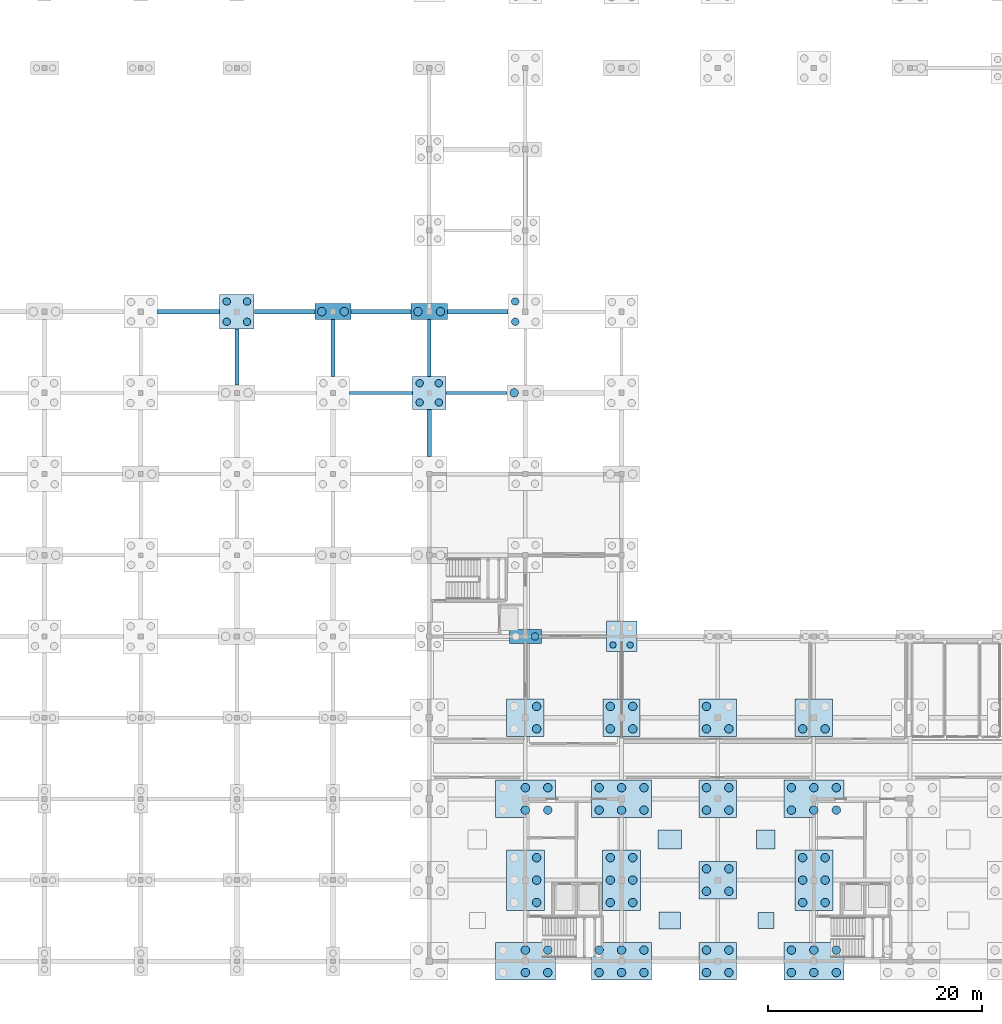
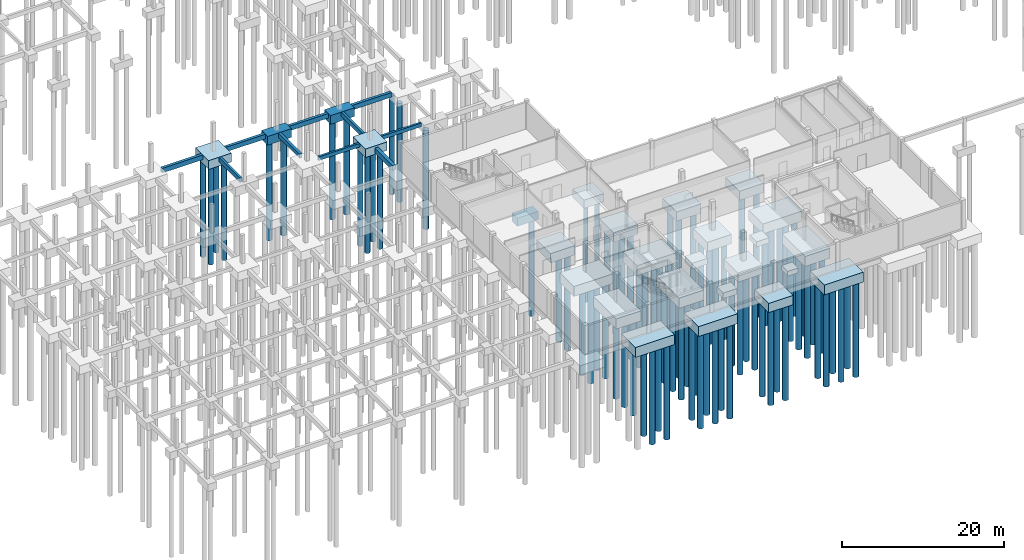
# One storey, part 4 of 28: 88 piles, 36 footings.
"""IFC4 building model written with IfcOpenShell, lengths in metres."""

import ifcopenshell
import ifcopenshell.guid

model = None  # the IFC model being written
_history = None  # IfcOwnerHistory: only IFC2X3 demands one
_inside = {}  # id of a spatial element -> (the spatial element, [elements in it])
_under = {}  # id of a project, library or spatial element -> (it, [spatial elements below it])
_declared = {}  # id of a project -> (the project, [libraries it declares])
_typed = {}  # id of a type object -> (the type object, [elements of that type])
_made_of = {}  # id of a material, layer set ... -> (it, [elements and type objects made of it])


def new_model(schema):
    """Start an empty IFC model of exactly this schema.

    Asked for "IFC4X3", IfcOpenShell would pick the latest addendum, in which some entities
    have other attributes; the version numbers below select the first issue.
    IFC2X3 requires an IfcOwnerHistory on every rooted entity: one is made here for all.
    """
    global model, _history
    if schema == "IFC4X3":
        model = ifcopenshell.file(schema_version=(4, 3, 0, 0))
    else:
        model = ifcopenshell.file(schema=schema)
    _inside.clear()
    _under.clear()
    _declared.clear()
    _typed.clear()
    _made_of.clear()
    _history = None
    if model.schema == "IFC2X3":
        org = make("IfcOrganization", Name="unknown")
        user = make(
            "IfcPersonAndOrganization",
            ThePerson=make("IfcPerson", FamilyName="unknown"),
            TheOrganization=org,
        )
        app = make(
            "IfcApplication",
            ApplicationDeveloper=org,
            Version="unknown",
            ApplicationFullName="unknown",
            ApplicationIdentifier="unknown",
        )
        _history = make(
            "IfcOwnerHistory",
            OwningUser=user,
            OwningApplication=app,
            ChangeAction="ADDED",
            CreationDate=0,
        )
    return model


def make(cls, **values):
    """One entity of the class cls with the attributes given. An attribute that is None is left unset."""
    return model.create_entity(
        cls, **{name: value for name, value in values.items() if value is not None}
    )


def rooted(cls, **values):
    """An entity with a GlobalId (a new one), such as an element, a storey or a relation."""
    return make(cls, GlobalId=ifcopenshell.guid.new(), OwnerHistory=_history, **values)


def si_unit(unit_type, name, prefix=None):
    """IfcSIUnit, for example si_unit("LENGTHUNIT", "METRE", prefix="MILLI")."""
    return make("IfcSIUnit", UnitType=unit_type, Prefix=prefix, Name=name)


def assignment(units):
    """IfcUnitAssignment: the units of a project."""
    return None if units is None else make("IfcUnitAssignment", Units=units)


def point(xyz):
    """IfcCartesianPoint."""
    return None if xyz is None else make("IfcCartesianPoint", Coordinates=xyz)


def direction(xyz):
    """IfcDirection."""
    return None if xyz is None else make("IfcDirection", DirectionRatios=xyz)


def frame(location, z_axis=None, x_axis=None):
    """IfcAxis2Placement3D, a coordinate frame: its origin and axes. An axis left out is left unset."""
    return make(
        "IfcAxis2Placement3D",
        Location=point(location),
        Axis=direction(z_axis),
        RefDirection=direction(x_axis),
    )


def frame_2d(location, x_axis=None):
    """IfcAxis2Placement2D, a coordinate frame in the plane: its origin and x axis."""
    return make(
        "IfcAxis2Placement2D", Location=point(location), RefDirection=direction(x_axis)
    )


def origin():
    """The frame at (0, 0, 0) with its axes left unset."""
    return frame((0.0, 0.0, 0.0))


def origin_2d():
    """The frame at (0, 0) in the plane with its x axis left unset."""
    return frame_2d((0.0, 0.0))


def place(relative_to, where):
    """IfcLocalPlacement: puts the frame where relative to a parent placement (None: the world)."""
    return make(
        "IfcLocalPlacement", PlacementRelTo=relative_to, RelativePlacement=where
    )


def context(
    kind, dimensions, precision=None, world=None, true_north=None, identifier=None
):
    """IfcGeometricRepresentationContext, for example the 3D "Model" context."""
    return make(
        "IfcGeometricRepresentationContext",
        ContextIdentifier=identifier,
        ContextType=kind,
        CoordinateSpaceDimension=dimensions,
        Precision=precision,
        WorldCoordinateSystem=world,
        TrueNorth=true_north,
    )


def subcontext(parent, identifier, kind, view, scale=None):
    """IfcGeometricRepresentationSubContext, for example "Body" below "Model"."""
    return make(
        "IfcGeometricRepresentationSubContext",
        ContextIdentifier=identifier,
        ContextType=kind,
        ParentContext=parent,
        TargetScale=scale,
        TargetView=view,
    )


def project(units=None, contexts=None):
    """IfcProject with its units and contexts."""
    return rooted(
        "IfcProject",
        Name="project",
        RepresentationContexts=contexts,
        UnitsInContext=assignment(units),
    )


def spatial(cls, under=None, at=None, **own):
    """A site, building, storey or space (cls), placed at a placement, below another one or the project."""
    s = rooted(cls, ObjectPlacement=at, **own)
    if under is not None:
        _under.setdefault(under.id(), (under, []))[1].append(s)
    return s


def profile(cls, at=None, kind="AREA", **sizes):
    """A parametric profile (cls). Its sizes go by their IFC names, for example OverallWidth=200.0."""
    return make(cls, ProfileType=kind, Position=at, **sizes)


def rectangle(**sizes):
    """IfcRectangleProfileDef."""
    return profile("IfcRectangleProfileDef", **sizes)


def circle(**sizes):
    """IfcCircleProfileDef."""
    return profile("IfcCircleProfileDef", **sizes)


def extrude(swept, where, along, depth):
    """IfcExtrudedAreaSolid: the profile swept, set in the frame where, extruded along a direction by depth."""
    return make(
        "IfcExtrudedAreaSolid",
        SweptArea=swept,
        Position=where,
        ExtrudedDirection=direction(along),
        Depth=depth,
    )


def shape(context_of_items, identifier, shape_type, items):
    """IfcShapeRepresentation: the items that make up one representation, for example the "Body"."""
    return make(
        "IfcShapeRepresentation",
        ContextOfItems=context_of_items,
        RepresentationIdentifier=identifier,
        RepresentationType=shape_type,
        Items=items,
    )


def material(Name=None, Category=None):
    """IfcMaterial."""
    return make("IfcMaterial", Name=Name, Category=Category)


def layer(
    of_material, thickness, ventilated=None, Name=None, Category=None, Priority=None
):
    """IfcMaterialLayer: one layer of a wall or slab, of a material (None: an air gap)."""
    return make(
        "IfcMaterialLayer",
        Material=of_material,
        LayerThickness=thickness,
        IsVentilated=ventilated,
        Name=Name,
        Category=Category,
        Priority=Priority,
    )


def layer_set(layers, Name=None):
    """IfcMaterialLayerSet."""
    return make("IfcMaterialLayerSet", MaterialLayers=layers, LayerSetName=Name)


def material_profile(
    of_material, cross_section, Name=None, Category=None, Priority=None
):
    """IfcMaterialProfile: a cross section and its material."""
    return make(
        "IfcMaterialProfile",
        Name=Name,
        Material=of_material,
        Profile=cross_section,
        Priority=Priority,
        Category=Category,
    )


def profile_set(profiles, Name=None, composite=None):
    """IfcMaterialProfileSet."""
    return make(
        "IfcMaterialProfileSet",
        Name=Name,
        MaterialProfiles=profiles,
        CompositeProfile=composite,
    )


def made_of(thing, what):
    """Note that an element or type object is made of a material, layer set ...; save() writes the relation."""
    if what is not None:
        _made_of.setdefault(what.id(), (what, []))[1].append(thing)
    return thing


def type_object(cls, material=None, **own):
    """A type object (cls), such as IfcWallType, which elements share."""
    return made_of(rooted(cls, **own), material)


def element(
    cls,
    number,
    at=None,
    inside=None,
    cuts=None,
    type_object=None,
    material=None,
    context=None,
    identifier="Body",
    shape_type=None,
    held_by="IfcProductDefinitionShape",
    body=None,
    shapes=None,
    **own,
):
    """One element of the class cls, such as IfcWall. Its Tag is "e" and its number.

    at: its placement. inside: the storey or other place that contains it. cuts: it is an
    opening in that element (IfcRelVoidsElement). A single representation is given by context,
    identifier, shape_type and body (its items); several are given by shapes. held_by: the class
    of the entity that holds the representations. save() writes the other relations.
    """
    e = rooted(cls, Tag="e%d" % number, ObjectPlacement=at, **own)
    if body is not None:
        shapes = [shape(context, identifier, shape_type, body)]
    if shapes is not None:
        e.Representation = make(held_by, Representations=shapes)
    if inside is not None:
        _inside.setdefault(inside.id(), (inside, []))[1].append(e)
    if cuts is not None:
        rooted(
            "IfcRelVoidsElement", RelatingBuildingElement=cuts, RelatedOpeningElement=e
        )
    if type_object is not None:
        _typed.setdefault(type_object.id(), (type_object, []))[1].append(e)
    return made_of(e, material)


def aggregate(whole, parts):
    """IfcRelAggregates: a whole, such as a stair, and the parts it consists of."""
    return rooted("IfcRelAggregates", RelatingObject=whole, RelatedObjects=parts)


def save(model, path):
    """Write the relations noted so far, then the file.

    IfcRelAggregates (storeys below a building ...), IfcRelContainedInSpatialStructure (elements
    in a storey), IfcRelDefinesByType, IfcRelAssociatesMaterial and IfcRelDeclares: one each for
    every whole, place, type object, material and project.
    """
    for whole, parts in _under.values():
        aggregate(whole, parts)
    for where, things in _inside.values():
        rooted(
            "IfcRelContainedInSpatialStructure",
            RelatedElements=things,
            RelatingStructure=where,
        )
    for kind, things in _typed.values():
        rooted("IfcRelDefinesByType", RelatedObjects=things, RelatingType=kind)
    for what, things in _made_of.values():
        rooted("IfcRelAssociatesMaterial", RelatedObjects=things, RelatingMaterial=what)
    for by, libraries in _declared.values():
        rooted("IfcRelDeclares", RelatingContext=by, RelatedDefinitions=libraries)
    model.write(path)


model = new_model("IFC4")

# Units and contexts
model_context = context("Model", 3, precision=1e-05, world=origin(), true_north=direction((0.0, 1.0)))
body_context = subcontext(model_context, "Body", "Model", "MODEL_VIEW")
ifc_project = project(units=[si_unit("LENGTHUNIT", "METRE"), si_unit("AREAUNIT", "SQUARE_METRE"), si_unit("VOLUMEUNIT", "CUBIC_METRE"), si_unit("PLANEANGLEUNIT", "RADIAN"), si_unit("MASSUNIT", "GRAM", prefix="KILO")], contexts=[model_context])

# Site, building, storey
site_placement = place(None, origin())
site = spatial("IfcSite", under=ifc_project, at=site_placement, CompositionType="ELEMENT")
building_placement = place(site_placement, origin())
building = spatial("IfcBuilding", under=site, at=building_placement, Name="Caisbarro Railhouse Central Library", CompositionType="ELEMENT")
storey_placement = place(building_placement, frame((0.0, 0.0, -4.320068359375)))
storey = spatial("IfcBuildingStorey", under=building, at=storey_placement, Name="B01", CompositionType="ELEMENT", Elevation=-4.320068359375)

# Footings
ifc_material_1 = material(Name="Concrete C35", Category="concrete")
footing_type_1 = type_object("IfcFootingType", Name="FTG-FB01", PredefinedType="FOOTING_BEAM", material=ifc_material_1)
footing_1_placement = place(storey_placement, frame((36.0, 56.5625, -0.64990234375), z_axis=(0.0, 0.0, 1.0), x_axis=(0.0, 1.0, 0.0)))
element("IfcFooting", 1, at=footing_1_placement, inside=storey, type_object=footing_type_1, Name="FB01 ground tie beam 112", PredefinedType="FOOTING_BEAM", context=body_context, shape_type="SweptSolid", body=[
    extrude(rectangle(XDim=5.220947265625, YDim=0.35009765625, at=origin_2d()), origin(), (0.0, 0.0, 1.0), 0.64990234375),
])
for number, where, z_axis, x_axis, name in (
    (2, (45.0, 57.39990234375, -0.64990234375), (0.0, 0.0, 1.0), (0.0, 1.0, 0.0), "FB01 ground tie beam 132"),
    (3, (54.0, 57.39990234375, -0.64990234375), (0.0, 0.0, 1.0), (0.0, 1.0, 0.0), "FB01 ground tie beam 136"),
):
    element("IfcFooting", number, at=place(storey_placement, frame(where, z_axis=z_axis, x_axis=x_axis)), inside=storey, type_object=footing_type_1, Name=name, PredefinedType="FOOTING_BEAM", context=body_context, shape_type="SweptSolid", body=[
        extrude(rectangle(XDim=5.2958984375, YDim=0.35009765625, at=origin_2d()), origin(), (0.0, 0.0, 1.0), 0.64990234375),
    ])
footing_type_2 = type_object("IfcFootingType", Name="FTG-FB02", PredefinedType="FOOTING_BEAM", material=ifc_material_1)
footing_2_placement = place(storey_placement, frame((31.46240234375, 60.800048828125, -0.69970703125), z_axis=(0.0, 0.0, 1.0), x_axis=(1.0, 0.0, 0.0)))
element("IfcFooting", 4, at=footing_2_placement, inside=storey, type_object=footing_type_2, Name="FB02 ground tie beam 89", PredefinedType="FOOTING_BEAM", context=body_context, shape_type="SweptSolid", body=[
    extrude(rectangle(XDim=5.821044921875, YDim=0.39990234375, at=origin_2d()), origin(), (0.0, 0.0, 1.0), 0.699951171875),
])
footing_3_placement = place(storey_placement, frame((40.46240234375, 60.800048828125, -0.69970703125), z_axis=(0.0, 0.0, 1.0), x_axis=(1.0, 0.0, 0.0)))
element("IfcFooting", 5, at=footing_3_placement, inside=storey, type_object=footing_type_2, Name="FB02 ground tie beam 113", PredefinedType="FOOTING_BEAM", context=body_context, shape_type="SweptSolid", body=[
    extrude(rectangle(XDim=5.6708984375, YDim=0.39990234375, at=origin_2d()), origin(), (0.0, 0.0, 1.0), 0.699951171875),
])
footing_4_placement = place(storey_placement, frame((49.5, 60.800048828125, -0.69970703125), z_axis=(0.0, 0.0, 1.0), x_axis=(1.0, 0.0, 0.0)))
element("IfcFooting", 6, at=footing_4_placement, inside=storey, type_object=footing_type_2, Name="FB02 ground tie beam 133", PredefinedType="FOOTING_BEAM", context=body_context, shape_type="SweptSolid", body=[
    extrude(rectangle(XDim=5.595947265625, YDim=0.39990234375, at=origin_2d()), origin(), (0.0, 0.0, 1.0), 0.699951171875),
])
footing_5_placement = place(storey_placement, frame((58.53759765625, 60.800048828125, -0.69970703125), z_axis=(0.0, 0.0, 1.0), x_axis=(1.0, 0.0, 0.0)))
element("IfcFooting", 7, at=footing_5_placement, inside=storey, type_object=footing_type_2, Name="FB02 ground tie beam 137", PredefinedType="FOOTING_BEAM", context=body_context, shape_type="SweptSolid", body=[
    extrude(rectangle(XDim=5.6708984375, YDim=0.39990234375, at=origin_2d()), origin(), (0.0, 0.0, 1.0), 0.699951171875),
])
footing_type_3 = type_object("IfcFootingType", Name="FTG-FB03", PredefinedType="FOOTING_BEAM", material=ifc_material_1)
footing_6_placement = place(storey_placement, frame((54.0, 49.4375, -1.050048828125), z_axis=(0.0, 0.0, 1.0), x_axis=(0.0, 1.0, 0.0)))
element("IfcFooting", 8, at=footing_6_placement, inside=storey, type_object=footing_type_3, Name="FB03 ground tie beam 134", PredefinedType="FOOTING_BEAM", context=body_context, shape_type="SweptSolid", body=[
    extrude(rectangle(XDim=4.4208984375, YDim=0.449951171875, at=origin_2d()), origin(), (0.0, 0.0, 1.0), 0.75),
])
footing_type_4 = type_object("IfcFootingType", Name="FTG-FB04", PredefinedType="FOOTING_BEAM", material=ifc_material_1)
footing_7_placement = place(storey_placement, frame((49.5, 53.199951171875, -0.5498046875), z_axis=(0.0, 0.0, 1.0), x_axis=(1.0, 0.0, 0.0)))
element("IfcFooting", 9, at=footing_7_placement, inside=storey, type_object=footing_type_4, Name="FB04 ground tie beam 131", PredefinedType="FOOTING_BEAM", context=body_context, shape_type="SweptSolid", body=[
    extrude(rectangle(XDim=5.89599609375, YDim=0.300048828125, at=origin_2d()), origin(), (0.0, 0.0, 1.0), 0.550048828125),
])
footing_8_placement = place(storey_placement, frame((58.425048828125, 53.199951171875, -0.5498046875), z_axis=(0.0, 0.0, 1.0), x_axis=(1.0, 0.0, 0.0)))
element("IfcFooting", 10, at=footing_8_placement, inside=storey, type_object=footing_type_4, Name="FB04 ground tie beam 135", PredefinedType="FOOTING_BEAM", context=body_context, shape_type="SweptSolid", body=[
    extrude(rectangle(XDim=5.74609375, YDim=0.300048828125, at=origin_2d()), origin(), (0.0, 0.0, 1.0), 0.550048828125),
])
ifc_material_2 = material(Name="Concrete C40", Category="concrete")
ifc_layer_1 = layer(ifc_material_2, 1.219970703125, Name="Concrete C40")
ifc_layer_set_1 = layer_set([ifc_layer_1], Name="Concrete C40")
footing_type_5 = type_object("IfcFootingType", Name="FTG-PC05", PredefinedType="PILE_CAP", material=ifc_layer_set_1)
footing_9_placement = place(storey_placement, frame((63.0, 30.39990234375, -1.56982421875), z_axis=(0.0, 0.0, 1.0), x_axis=(1.0, 0.0, 0.0)))
element("IfcFooting", 11, at=footing_9_placement, inside=storey, type_object=footing_type_5, Name="PC05 pile cap (100)", PredefinedType="PILE_CAP", context=body_context, shape_type="SweptSolid", body=[
    extrude(rectangle(XDim=3.0, YDim=1.35009765625, at=origin_2d()), origin(), (0.0, 0.0, 1.0), 1.219970703125),
])
ifc_layer_2 = layer(ifc_material_2, 1.300048828125, Name="Concrete C40")
ifc_layer_set_2 = layer_set([ifc_layer_2], Name="Concrete C40")
footing_type_6 = type_object("IfcFootingType", Name="FTG-PC06", PredefinedType="PILE_CAP", material=ifc_layer_set_2)
footing_10_placement = place(storey_placement, frame((54.0, 53.199951171875, -1.2998046875), z_axis=(0.0, 0.0, 1.0), x_axis=(1.0, 0.0, 0.0)))
element("IfcFooting", 12, at=footing_10_placement, inside=storey, type_object=footing_type_6, Name="PC06 pile cap (87)", PredefinedType="PILE_CAP", context=body_context, shape_type="SweptSolid", body=[
    extrude(rectangle(XDim=3.10009765625, YDim=3.10009765625, at=origin_2d()), origin(), (0.0, 0.0, 1.0), 1.300048828125),
])
ifc_layer_3 = layer(ifc_material_2, 1.320068359375, Name="Concrete C40")
ifc_layer_set_3 = layer_set([ifc_layer_3], Name="Concrete C40")
footing_type_7 = type_object("IfcFootingType", Name="FTG-PC07", PredefinedType="PILE_CAP", material=ifc_layer_set_3)
for number, where, z_axis, x_axis, name in (
    (13, (45.0, 60.800048828125, -1.31982421875), (0.0, 0.0, 1.0), (1.0, 0.0, 0.0), "PC07 pile cap (79)"),
    (14, (54.0, 60.800048828125, -1.31982421875), (0.0, 0.0, 1.0), (1.0, 0.0, 0.0), "PC07 pile cap (88)"),
):
    element("IfcFooting", number, at=place(storey_placement, frame(where, z_axis=z_axis, x_axis=x_axis)), inside=storey, type_object=footing_type_7, Name=name, PredefinedType="PILE_CAP", context=body_context, shape_type="SweptSolid", body=[
        extrude(rectangle(XDim=3.39990234375, YDim=1.5, at=origin_2d()), origin(), (0.0, 0.0, 1.0), 1.320068359375),
    ])
ifc_layer_4 = layer(ifc_material_2, 1.39990234375, Name="Concrete C40")
ifc_layer_set_4 = layer_set([ifc_layer_4], Name="Concrete C40")
footing_type_8 = type_object("IfcFootingType", Name="FTG-PC08", PredefinedType="PILE_CAP", material=ifc_layer_set_4)
for number, where, z_axis, x_axis, name in (
    (15, (63.0, 22.800048828125, -1.75), (0.0, 0.0, 1.0), (1.0, 0.0, 0.0), "PC08 pile cap (99)"),
    (16, (72.0, 22.800048828125, -1.75), (0.0, 0.0, 1.0), (1.0, 0.0, 0.0), "PC08 pile cap (115)"),
    (17, (81.0, 0.0, -1.75), (0.0, 0.0, 1.0), (1.0, 0.0, 0.0), "PC08 pile cap (126)"),
    (18, (81.0, 7.60009765625, -1.75), (0.0, 0.0, 1.0), (1.0, 0.0, 0.0), "PC08 pile cap (127)"),
    (19, (81.0, 15.199951171875, -1.75), (0.0, 0.0, 1.0), (1.0, 0.0, 0.0), "PC08 pile cap (128)"),
    (20, (81.0, 22.800048828125, -1.75), (0.0, 0.0, 1.0), (1.0, 0.0, 0.0), "PC08 pile cap (129)"),
    (21, (90.0, 22.800048828125, -1.75), (0.0, 0.0, 1.0), (1.0, 0.0, 0.0), "PC08 pile cap (139)"),
):
    element("IfcFooting", number, at=place(storey_placement, frame(where, z_axis=z_axis, x_axis=x_axis)), inside=storey, type_object=footing_type_8, Name=name, PredefinedType="PILE_CAP", context=body_context, shape_type="SweptSolid", body=[
        extrude(rectangle(XDim=3.5, YDim=3.5, at=origin_2d()), origin(), (0.0, 0.0, 1.0), 1.39990234375),
    ])
ifc_layer_5 = layer(ifc_material_2, 1.5, Name="Concrete C40")
ifc_layer_set_5 = layer_set([ifc_layer_5], Name="Concrete C40")
footing_type_9 = type_object("IfcFootingType", Name="FTG-PC09", PredefinedType="PILE_CAP", material=ifc_layer_set_5)
for number, where, z_axis, x_axis, name in (
    (22, (63.0, 0.0, -1.849853515625), (0.0, 0.0, 1.0), (1.0, 0.0, 0.0), "PC09 pile cap (96)"),
    (23, (63.0, 15.199951171875, -1.849853515625), (0.0, 0.0, 1.0), (1.0, 0.0, 0.0), "PC09 pile cap (98)"),
    (24, (72.0, 0.0, -1.849853515625), (0.0, 0.0, 1.0), (1.0, 0.0, 0.0), "PC09 pile cap (112)"),
    (25, (72.0, 15.199951171875, -1.849853515625), (0.0, 0.0, 1.0), (1.0, 0.0, 0.0), "PC09 pile cap (114)"),
    (26, (90.0, 0.0, -1.849853515625), (0.0, 0.0, 1.0), (1.0, 0.0, 0.0), "PC09 pile cap (136)"),
    (27, (90.0, 15.199951171875, -1.849853515625), (0.0, 0.0, 1.0), (1.0, 0.0, 0.0), "PC09 pile cap (138)"),
):
    element("IfcFooting", number, at=place(storey_placement, frame(where, z_axis=z_axis, x_axis=x_axis)), inside=storey, type_object=footing_type_9, Name=name, PredefinedType="PILE_CAP", context=body_context, shape_type="SweptSolid", body=[
        extrude(rectangle(XDim=5.60009765625, YDim=3.5, at=origin_2d()), origin(), (0.0, 0.0, 1.0), 1.5),
    ])
ifc_layer_6 = layer(ifc_material_2, 1.52001953125, Name="Concrete C40")
ifc_layer_set_6 = layer_set([ifc_layer_6], Name="Concrete C40")
footing_type_10 = type_object("IfcFootingType", Name="FTG-PC10", PredefinedType="PILE_CAP", material=ifc_layer_set_6)
for number, where, z_axis, x_axis, name in (
    (28, (63.0, 7.60009765625, -1.869873046875), (0.0, 0.0, 1.0), (1.0, 0.0, 0.0), "PC10 pile cap (97)"),
    (29, (72.0, 7.60009765625, -1.869873046875), (0.0, 0.0, 1.0), (1.0, 0.0, 0.0), "PC10 pile cap (113)"),
    (30, (90.0, 7.60009765625, -1.869873046875), (0.0, 0.0, 1.0), (1.0, 0.0, 0.0), "PC10 pile cap (137)"),
):
    element("IfcFooting", number, at=place(storey_placement, frame(where, z_axis=z_axis, x_axis=x_axis)), inside=storey, type_object=footing_type_10, Name=name, PredefinedType="PILE_CAP", context=body_context, shape_type="SweptSolid", body=[
        extrude(rectangle(XDim=3.550048828125, YDim=5.64990234375, at=origin_2d()), origin(), (0.0, 0.0, 1.0), 1.52001953125),
    ])
ifc_layer_7 = layer(ifc_material_2, 1.25, Name="Concrete C40")
ifc_layer_set_7 = layer_set([ifc_layer_7], Name="Concrete C40")
footing_type_11 = type_object("IfcFootingType", Name="FTG-PC13", PredefinedType="PILE_CAP", material=ifc_layer_set_7)
footing_11_placement = place(storey_placement, frame((72.0, 30.39990234375, -1.599853515625), z_axis=(0.0, 0.0, 1.0), x_axis=(1.0, 0.0, 0.0)))
element("IfcFooting", 31, at=footing_11_placement, inside=storey, type_object=footing_type_11, Name="PC13 pile cap (116)", PredefinedType="PILE_CAP", context=body_context, shape_type="SweptSolid", body=[
    extrude(rectangle(XDim=2.85009765625, YDim=2.85009765625, at=origin_2d()), origin(), (0.0, 0.0, 1.0), 1.25),
])
ifc_layer_8 = layer(ifc_material_2, 1.340087890625, Name="Concrete C40")
ifc_layer_set_8 = layer_set([ifc_layer_8], Name="Concrete C40")
footing_type_12 = type_object("IfcFootingType", Name="FTG-PC14", PredefinedType="PILE_CAP", material=ifc_layer_set_8)
footing_12_placement = place(storey_placement, frame((36.0, 60.800048828125, -1.33984375), z_axis=(0.0, 0.0, 1.0), x_axis=(1.0, 0.0, 0.0)))
element("IfcFooting", 32, at=footing_12_placement, inside=storey, type_object=footing_type_12, Name="PC14 pile cap (65)", PredefinedType="PILE_CAP", context=body_context, shape_type="SweptSolid", body=[
    extrude(rectangle(XDim=3.25, YDim=3.25, at=origin_2d()), origin(), (0.0, 0.0, 1.0), 1.340087890625),
])
ifc_layer_9 = layer(ifc_material_2, 0.699951171875, Name="Concrete C40")
ifc_layer_set_9 = layer_set([ifc_layer_9], Name="Concrete C40")
footing_type_13 = type_object("IfcFootingType", Name="FTG-PF01", PredefinedType="PAD_FOOTING", material=ifc_layer_set_9)
footing_13_placement = place(storey_placement, frame((85.5, 3.800048828125, -1.0498046875), z_axis=(0.0, 0.0, 1.0), x_axis=(1.0, 0.0, 0.0)))
element("IfcFooting", 33, at=footing_13_placement, inside=storey, type_object=footing_type_13, Name="PF01 equipment pad footing 5", PredefinedType="PAD_FOOTING", context=body_context, shape_type="SweptSolid", body=[
    extrude(rectangle(XDim=1.5, YDim=1.5, at=origin_2d()), origin(), (0.0, 0.0, 1.0), 0.699951171875),
])
ifc_layer_10 = layer(ifc_material_2, 0.800048828125, Name="Concrete C40")
ifc_layer_set_10 = layer_set([ifc_layer_10], Name="Concrete C40")
footing_type_14 = type_object("IfcFootingType", Name="FTG-PF02", PredefinedType="PAD_FOOTING", material=ifc_layer_set_10)
footing_14_placement = place(storey_placement, frame((85.5, 11.39990234375, -1.14990234375), z_axis=(0.0, 0.0, 1.0), x_axis=(1.0, 0.0, 0.0)))
element("IfcFooting", 34, at=footing_14_placement, inside=storey, type_object=footing_type_14, Name="PF02 equipment pad footing 6", PredefinedType="PAD_FOOTING", context=body_context, shape_type="SweptSolid", body=[
    extrude(rectangle(XDim=1.75, YDim=1.75, at=origin_2d()), origin(), (0.0, 0.0, 1.0), 0.800048828125),
])
ifc_layer_11 = layer(ifc_material_2, 0.85009765625, Name="Concrete C40")
ifc_layer_set_11 = layer_set([ifc_layer_11], Name="Concrete C40")
footing_type_15 = type_object("IfcFootingType", Name="FTG-PF03", PredefinedType="PAD_FOOTING", material=ifc_layer_set_11)
footing_15_placement = place(storey_placement, frame((76.5, 3.800048828125, -1.199951171875), z_axis=(0.0, 0.0, 1.0), x_axis=(1.0, 0.0, 0.0)))
element("IfcFooting", 35, at=footing_15_placement, inside=storey, type_object=footing_type_15, Name="PF03 equipment pad footing 3", PredefinedType="PAD_FOOTING", context=body_context, shape_type="SweptSolid", body=[
    extrude(rectangle(XDim=2.0, YDim=1.60009765625, at=origin_2d()), origin(), (0.0, 0.0, 1.0), 0.85009765625),
])
ifc_layer_12 = layer(ifc_material_2, 0.89990234375, Name="Concrete C40")
ifc_layer_set_12 = layer_set([ifc_layer_12], Name="Concrete C40")
footing_type_16 = type_object("IfcFootingType", Name="FTG-PF04", PredefinedType="PAD_FOOTING", material=ifc_layer_set_12)
footing_16_placement = place(storey_placement, frame((76.5, 11.39990234375, -1.25), z_axis=(0.0, 0.0, 1.0), x_axis=(1.0, 0.0, 0.0)))
element("IfcFooting", 36, at=footing_16_placement, inside=storey, type_object=footing_type_16, Name="PF04 equipment pad footing 4", PredefinedType="PAD_FOOTING", context=body_context, shape_type="SweptSolid", body=[
    extrude(rectangle(XDim=2.199951171875, YDim=1.800048828125, at=origin_2d()), origin(), (0.0, 0.0, 1.0), 0.89990234375),
])

# Piles
ifc_material_profile_1 = material_profile(ifc_material_1, circle(Radius=0.300048828125, at=origin_2d()), Name="PILE-CFA-600")
ifc_profile_set_1 = profile_set([ifc_material_profile_1], Name="Concrete C35")
pile_type_1 = type_object("IfcPileType", Name="PILE-CFA600", PredefinedType="BORED", material=ifc_profile_set_1)
for number, where, z_axis, x_axis, name in (
    (37, (71.199951171875, 29.60009765625, -1.5), (0.0, 0.0, -1.0), (1.0, 0.0, 0.0), "PL60 CFA bored pile 116.1"),
    (38, (72.800048828125, 29.60009765625, -1.5), (0.0, 0.0, -1.0), (1.0, 0.0, 0.0), "PL60 CFA bored pile 116.2"),
):
    element("IfcPile", number, at=place(storey_placement, frame(where, z_axis=z_axis, x_axis=x_axis)), inside=storey, type_object=pile_type_1, Name=name, PredefinedType="BORED", context=body_context, shape_type="SweptSolid", body=[
        extrude(circle(Radius=0.300048828125, at=origin_2d()), origin(), (0.0, 0.0, 1.0), 14.679931640625),
    ])
ifc_material_profile_2 = material_profile(ifc_material_1, circle(Radius=0.35009765625, at=origin_2d()), Name="PILE-CFA-700")
ifc_profile_set_2 = profile_set([ifc_material_profile_2], Name="Concrete C35")
pile_type_2 = type_object("IfcPileType", Name="PILE-CFA700", PredefinedType="BORED", material=ifc_profile_set_2)
for number, where, z_axis, x_axis, name in (
    (39, (35.050048828125, 59.85009765625, -1.239990234375), (0.0, 0.0, -1.0), (1.0, 0.0, 0.0), "PL70 CFA bored pile 65.1"),
    (40, (36.949951171875, 59.85009765625, -1.239990234375), (0.0, 0.0, -1.0), (1.0, 0.0, 0.0), "PL70 CFA bored pile 65.2"),
    (41, (35.050048828125, 61.75, -1.239990234375), (0.0, 0.0, -1.0), (1.0, 0.0, 0.0), "PL70 CFA bored pile 65.3"),
    (42, (36.949951171875, 61.75, -1.239990234375), (0.0, 0.0, -1.0), (1.0, 0.0, 0.0), "PL70 CFA bored pile 65.4"),
):
    element("IfcPile", number, at=place(storey_placement, frame(where, z_axis=z_axis, x_axis=x_axis)), inside=storey, type_object=pile_type_2, Name=name, PredefinedType="BORED", context=body_context, shape_type="SweptSolid", body=[
        extrude(circle(Radius=0.35009765625, at=origin_2d()), origin(), (0.0, 0.0, 1.0), 14.93994140625),
    ])
for number, where, z_axis, x_axis, name in (
    (43, (53.10009765625, 52.300048828125, -1.199951171875), (0.0, 0.0, -1.0), (1.0, 0.0, 0.0), "PL70 CFA bored pile 87.1"),
    (44, (54.89990234375, 52.300048828125, -1.199951171875), (0.0, 0.0, -1.0), (1.0, 0.0, 0.0), "PL70 CFA bored pile 87.2"),
    (45, (53.10009765625, 54.10009765625, -1.199951171875), (0.0, 0.0, -1.0), (1.0, 0.0, 0.0), "PL70 CFA bored pile 87.3"),
    (46, (54.89990234375, 54.10009765625, -1.199951171875), (0.0, 0.0, -1.0), (1.0, 0.0, 0.0), "PL70 CFA bored pile 87.4"),
):
    element("IfcPile", number, at=place(storey_placement, frame(where, z_axis=z_axis, x_axis=x_axis)), inside=storey, type_object=pile_type_2, Name=name, PredefinedType="BORED", context=body_context, shape_type="SweptSolid", body=[
        extrude(circle(Radius=0.35009765625, at=origin_2d()), origin(), (0.0, 0.0, 1.0), 14.97998046875),
    ])
pile_1_placement = place(storey_placement, frame((63.89990234375, 30.39990234375, -1.469970703125), z_axis=(0.0, 0.0, -1.0), x_axis=(1.0, 0.0, 0.0)))
element("IfcPile", 47, at=pile_1_placement, inside=storey, type_object=pile_type_2, Name="PL70 CFA bored pile 100.2", PredefinedType="BORED", context=body_context, shape_type="SweptSolid", body=[
    extrude(circle(Radius=0.35009765625, at=origin_2d()), origin(), (0.0, 0.0, 1.0), 14.7099609375),
])
for number, where, z_axis, x_axis, name in (
    (48, (62.050048828125, 59.85009765625, -1.239990234375), (0.0, 0.0, -1.0), (1.0, 0.0, 0.0), "PL70 CFA bored pile 104.1"),
    (49, (62.050048828125, 61.75, -1.239990234375), (0.0, 0.0, -1.0), (1.0, 0.0, 0.0), "PL70 CFA bored pile 104.3"),
):
    element("IfcPile", number, at=place(storey_placement, frame(where, z_axis=z_axis, x_axis=x_axis)), inside=storey, type_object=pile_type_2, Name=name, PredefinedType="BORED", context=body_context, shape_type="SweptSolid", body=[
        extrude(circle(Radius=0.35009765625, at=origin_2d()), origin(), (0.0, 0.0, 1.0), 14.93994140625),
    ])
ifc_material_profile_3 = material_profile(ifc_material_1, circle(Radius=0.39990234375, at=origin_2d()), Name="PILE-CFA-800")
ifc_profile_set_3 = profile_set([ifc_material_profile_3], Name="Concrete C35")
pile_type_3 = type_object("IfcPileType", Name="PILE-CFA800", PredefinedType="BORED", material=ifc_profile_set_3)
for number, where, z_axis, x_axis, name in (
    (50, (43.949951171875, 60.800048828125, -1.219970703125), (0.0, 0.0, -1.0), (1.0, 0.0, 0.0), "PL80 CFA bored pile 79.1"),
    (51, (46.050048828125, 60.800048828125, -1.219970703125), (0.0, 0.0, -1.0), (1.0, 0.0, 0.0), "PL80 CFA bored pile 79.2"),
    (52, (52.949951171875, 60.800048828125, -1.219970703125), (0.0, 0.0, -1.0), (1.0, 0.0, 0.0), "PL80 CFA bored pile 88.1"),
    (53, (55.050048828125, 60.800048828125, -1.219970703125), (0.0, 0.0, -1.0), (1.0, 0.0, 0.0), "PL80 CFA bored pile 88.2"),
):
    element("IfcPile", number, at=place(storey_placement, frame(where, z_axis=z_axis, x_axis=x_axis)), inside=storey, type_object=pile_type_3, Name=name, PredefinedType="BORED", context=body_context, shape_type="SweptSolid", body=[
        extrude(circle(Radius=0.39990234375, at=origin_2d()), origin(), (0.0, 0.0, 1.0), 14.9599609375),
    ])
for number, where, z_axis, x_axis, name in (
    (54, (63.0, -1.050048828125, -1.75), (0.0, 0.0, -1.0), (1.0, 0.0, 0.0), "PL80 CFA bored pile 96.2"),
    (55, (65.10009765625, -1.050048828125, -1.75), (0.0, 0.0, -1.0), (1.0, 0.0, 0.0), "PL80 CFA bored pile 96.3"),
    (56, (63.0, 1.050048828125, -1.75), (0.0, 0.0, -1.0), (1.0, 0.0, 0.0), "PL80 CFA bored pile 96.5"),
    (57, (65.10009765625, 1.050048828125, -1.75), (0.0, 0.0, -1.0), (1.0, 0.0, 0.0), "PL80 CFA bored pile 96.6"),
):
    element("IfcPile", number, at=place(storey_placement, frame(where, z_axis=z_axis, x_axis=x_axis)), inside=storey, type_object=pile_type_3, Name=name, PredefinedType="BORED", context=body_context, shape_type="SweptSolid", body=[
        extrude(circle(Radius=0.39990234375, at=origin_2d()), origin(), (0.0, 0.0, 1.0), 14.429931640625),
    ])
for number, where, z_axis, x_axis, name in (
    (58, (64.050048828125, 5.5, -1.77001953125), (0.0, 0.0, -1.0), (1.0, 0.0, 0.0), "PL80 CFA bored pile 97.2"),
    (59, (64.050048828125, 7.60009765625, -1.77001953125), (0.0, 0.0, -1.0), (1.0, 0.0, 0.0), "PL80 CFA bored pile 97.4"),
    (60, (64.050048828125, 9.699951171875, -1.77001953125), (0.0, 0.0, -1.0), (1.0, 0.0, 0.0), "PL80 CFA bored pile 97.6"),
):
    element("IfcPile", number, at=place(storey_placement, frame(where, z_axis=z_axis, x_axis=x_axis)), inside=storey, type_object=pile_type_3, Name=name, PredefinedType="BORED", context=body_context, shape_type="SweptSolid", body=[
        extrude(circle(Radius=0.39990234375, at=origin_2d()), origin(), (0.0, 0.0, 1.0), 14.409912109375),
    ])
for number, where, z_axis, x_axis, name in (
    (61, (63.0, 14.14990234375, -1.75), (0.0, 0.0, -1.0), (1.0, 0.0, 0.0), "PL80 CFA bored pile 98.2"),
    (62, (65.10009765625, 14.14990234375, -1.75), (0.0, 0.0, -1.0), (1.0, 0.0, 0.0), "PL80 CFA bored pile 98.3"),
    (63, (63.0, 16.25, -1.75), (0.0, 0.0, -1.0), (1.0, 0.0, 0.0), "PL80 CFA bored pile 98.5"),
    (64, (65.10009765625, 16.25, -1.75), (0.0, 0.0, -1.0), (1.0, 0.0, 0.0), "PL80 CFA bored pile 98.6"),
):
    element("IfcPile", number, at=place(storey_placement, frame(where, z_axis=z_axis, x_axis=x_axis)), inside=storey, type_object=pile_type_3, Name=name, PredefinedType="BORED", context=body_context, shape_type="SweptSolid", body=[
        extrude(circle(Radius=0.39990234375, at=origin_2d()), origin(), (0.0, 0.0, 1.0), 14.429931640625),
    ])
for number, where, z_axis, x_axis, name in (
    (65, (64.050048828125, 21.75, -1.64990234375), (0.0, 0.0, -1.0), (1.0, 0.0, 0.0), "PL80 CFA bored pile 99.2"),
    (66, (64.050048828125, 23.85009765625, -1.64990234375), (0.0, 0.0, -1.0), (1.0, 0.0, 0.0), "PL80 CFA bored pile 99.4"),
):
    element("IfcPile", number, at=place(storey_placement, frame(where, z_axis=z_axis, x_axis=x_axis)), inside=storey, type_object=pile_type_3, Name=name, PredefinedType="BORED", context=body_context, shape_type="SweptSolid", body=[
        extrude(circle(Radius=0.39990234375, at=origin_2d()), origin(), (0.0, 0.0, 1.0), 14.530029296875),
    ])
pile_2_placement = place(storey_placement, frame((61.949951171875, 53.199951171875, -1.219970703125), z_axis=(0.0, 0.0, -1.0), x_axis=(1.0, 0.0, 0.0)))
element("IfcPile", 67, at=pile_2_placement, inside=storey, type_object=pile_type_3, Name="PL80 CFA bored pile 103.1", PredefinedType="BORED", context=body_context, shape_type="SweptSolid", body=[
    extrude(circle(Radius=0.39990234375, at=origin_2d()), origin(), (0.0, 0.0, 1.0), 14.9599609375),
])
for number, where, z_axis, x_axis, name in (
    (68, (69.89990234375, -1.050048828125, -1.75), (0.0, 0.0, -1.0), (1.0, 0.0, 0.0), "PL80 CFA bored pile 112.1"),
    (69, (72.0, -1.050048828125, -1.75), (0.0, 0.0, -1.0), (1.0, 0.0, 0.0), "PL80 CFA bored pile 112.2"),
    (70, (74.10009765625, -1.050048828125, -1.75), (0.0, 0.0, -1.0), (1.0, 0.0, 0.0), "PL80 CFA bored pile 112.3"),
    (71, (69.89990234375, 1.050048828125, -1.75), (0.0, 0.0, -1.0), (1.0, 0.0, 0.0), "PL80 CFA bored pile 112.4"),
    (72, (72.0, 1.050048828125, -1.75), (0.0, 0.0, -1.0), (1.0, 0.0, 0.0), "PL80 CFA bored pile 112.5"),
    (73, (74.10009765625, 1.050048828125, -1.75), (0.0, 0.0, -1.0), (1.0, 0.0, 0.0), "PL80 CFA bored pile 112.6"),
):
    element("IfcPile", number, at=place(storey_placement, frame(where, z_axis=z_axis, x_axis=x_axis)), inside=storey, type_object=pile_type_3, Name=name, PredefinedType="BORED", context=body_context, shape_type="SweptSolid", body=[
        extrude(circle(Radius=0.39990234375, at=origin_2d()), origin(), (0.0, 0.0, 1.0), 14.429931640625),
    ])
for number, where, z_axis, x_axis, name in (
    (74, (70.949951171875, 5.5, -1.77001953125), (0.0, 0.0, -1.0), (1.0, 0.0, 0.0), "PL80 CFA bored pile 113.1"),
    (75, (73.050048828125, 5.5, -1.77001953125), (0.0, 0.0, -1.0), (1.0, 0.0, 0.0), "PL80 CFA bored pile 113.2"),
    (76, (70.949951171875, 7.60009765625, -1.77001953125), (0.0, 0.0, -1.0), (1.0, 0.0, 0.0), "PL80 CFA bored pile 113.3"),
    (77, (73.050048828125, 7.60009765625, -1.77001953125), (0.0, 0.0, -1.0), (1.0, 0.0, 0.0), "PL80 CFA bored pile 113.4"),
    (78, (70.949951171875, 9.699951171875, -1.77001953125), (0.0, 0.0, -1.0), (1.0, 0.0, 0.0), "PL80 CFA bored pile 113.5"),
    (79, (73.050048828125, 9.699951171875, -1.77001953125), (0.0, 0.0, -1.0), (1.0, 0.0, 0.0), "PL80 CFA bored pile 113.6"),
):
    element("IfcPile", number, at=place(storey_placement, frame(where, z_axis=z_axis, x_axis=x_axis)), inside=storey, type_object=pile_type_3, Name=name, PredefinedType="BORED", context=body_context, shape_type="SweptSolid", body=[
        extrude(circle(Radius=0.39990234375, at=origin_2d()), origin(), (0.0, 0.0, 1.0), 14.409912109375),
    ])
for number, where, z_axis, x_axis, name in (
    (80, (69.89990234375, 14.14990234375, -1.75), (0.0, 0.0, -1.0), (1.0, 0.0, 0.0), "PL80 CFA bored pile 114.1"),
    (81, (72.0, 14.14990234375, -1.75), (0.0, 0.0, -1.0), (1.0, 0.0, 0.0), "PL80 CFA bored pile 114.2"),
    (82, (74.10009765625, 14.14990234375, -1.75), (0.0, 0.0, -1.0), (1.0, 0.0, 0.0), "PL80 CFA bored pile 114.3"),
    (83, (69.89990234375, 16.25, -1.75), (0.0, 0.0, -1.0), (1.0, 0.0, 0.0), "PL80 CFA bored pile 114.4"),
    (84, (72.0, 16.25, -1.75), (0.0, 0.0, -1.0), (1.0, 0.0, 0.0), "PL80 CFA bored pile 114.5"),
    (85, (74.10009765625, 16.25, -1.75), (0.0, 0.0, -1.0), (1.0, 0.0, 0.0), "PL80 CFA bored pile 114.6"),
):
    element("IfcPile", number, at=place(storey_placement, frame(where, z_axis=z_axis, x_axis=x_axis)), inside=storey, type_object=pile_type_3, Name=name, PredefinedType="BORED", context=body_context, shape_type="SweptSolid", body=[
        extrude(circle(Radius=0.39990234375, at=origin_2d()), origin(), (0.0, 0.0, 1.0), 14.429931640625),
    ])
for number, where, z_axis, x_axis, name in (
    (86, (70.949951171875, 21.75, -1.64990234375), (0.0, 0.0, -1.0), (1.0, 0.0, 0.0), "PL80 CFA bored pile 115.1"),
    (87, (73.050048828125, 21.75, -1.64990234375), (0.0, 0.0, -1.0), (1.0, 0.0, 0.0), "PL80 CFA bored pile 115.2"),
    (88, (70.949951171875, 23.85009765625, -1.64990234375), (0.0, 0.0, -1.0), (1.0, 0.0, 0.0), "PL80 CFA bored pile 115.3"),
    (89, (73.050048828125, 23.85009765625, -1.64990234375), (0.0, 0.0, -1.0), (1.0, 0.0, 0.0), "PL80 CFA bored pile 115.4"),
    (90, (79.949951171875, -1.050048828125, -1.64990234375), (0.0, 0.0, -1.0), (1.0, 0.0, 0.0), "PL80 CFA bored pile 126.1"),
    (91, (82.050048828125, -1.050048828125, -1.64990234375), (0.0, 0.0, -1.0), (1.0, 0.0, 0.0), "PL80 CFA bored pile 126.2"),
    (92, (79.949951171875, 1.050048828125, -1.64990234375), (0.0, 0.0, -1.0), (1.0, 0.0, 0.0), "PL80 CFA bored pile 126.3"),
    (93, (82.050048828125, 1.050048828125, -1.64990234375), (0.0, 0.0, -1.0), (1.0, 0.0, 0.0), "PL80 CFA bored pile 126.4"),
    (94, (79.949951171875, 6.550048828125, -1.64990234375), (0.0, 0.0, -1.0), (1.0, 0.0, 0.0), "PL80 CFA bored pile 127.1"),
    (95, (82.050048828125, 6.550048828125, -1.64990234375), (0.0, 0.0, -1.0), (1.0, 0.0, 0.0), "PL80 CFA bored pile 127.2"),
    (96, (79.949951171875, 8.64990234375, -1.64990234375), (0.0, 0.0, -1.0), (1.0, 0.0, 0.0), "PL80 CFA bored pile 127.3"),
    (97, (82.050048828125, 8.64990234375, -1.64990234375), (0.0, 0.0, -1.0), (1.0, 0.0, 0.0), "PL80 CFA bored pile 127.4"),
    (98, (79.949951171875, 14.14990234375, -1.64990234375), (0.0, 0.0, -1.0), (1.0, 0.0, 0.0), "PL80 CFA bored pile 128.1"),
    (99, (82.050048828125, 14.14990234375, -1.64990234375), (0.0, 0.0, -1.0), (1.0, 0.0, 0.0), "PL80 CFA bored pile 128.2"),
    (100, (79.949951171875, 16.25, -1.64990234375), (0.0, 0.0, -1.0), (1.0, 0.0, 0.0), "PL80 CFA bored pile 128.3"),
    (101, (82.050048828125, 16.25, -1.64990234375), (0.0, 0.0, -1.0), (1.0, 0.0, 0.0), "PL80 CFA bored pile 128.4"),
    (102, (79.949951171875, 21.75, -1.64990234375), (0.0, 0.0, -1.0), (1.0, 0.0, 0.0), "PL80 CFA bored pile 129.1"),
    (103, (82.050048828125, 21.75, -1.64990234375), (0.0, 0.0, -1.0), (1.0, 0.0, 0.0), "PL80 CFA bored pile 129.2"),
    (104, (79.949951171875, 23.85009765625, -1.64990234375), (0.0, 0.0, -1.0), (1.0, 0.0, 0.0), "PL80 CFA bored pile 129.3"),
):
    element("IfcPile", number, at=place(storey_placement, frame(where, z_axis=z_axis, x_axis=x_axis)), inside=storey, type_object=pile_type_3, Name=name, PredefinedType="BORED", context=body_context, shape_type="SweptSolid", body=[
        extrude(circle(Radius=0.39990234375, at=origin_2d()), origin(), (0.0, 0.0, 1.0), 14.530029296875),
    ])
for number, where, z_axis, x_axis, name in (
    (105, (87.89990234375, -1.050048828125, -1.75), (0.0, 0.0, -1.0), (1.0, 0.0, 0.0), "PL80 CFA bored pile 136.1"),
    (106, (90.0, -1.050048828125, -1.75), (0.0, 0.0, -1.0), (1.0, 0.0, 0.0), "PL80 CFA bored pile 136.2"),
    (107, (92.10009765625, -1.050048828125, -1.75), (0.0, 0.0, -1.0), (1.0, 0.0, 0.0), "PL80 CFA bored pile 136.3"),
    (108, (87.89990234375, 1.050048828125, -1.75), (0.0, 0.0, -1.0), (1.0, 0.0, 0.0), "PL80 CFA bored pile 136.4"),
    (109, (90.0, 1.050048828125, -1.75), (0.0, 0.0, -1.0), (1.0, 0.0, 0.0), "PL80 CFA bored pile 136.5"),
    (110, (92.10009765625, 1.050048828125, -1.75), (0.0, 0.0, -1.0), (1.0, 0.0, 0.0), "PL80 CFA bored pile 136.6"),
):
    element("IfcPile", number, at=place(storey_placement, frame(where, z_axis=z_axis, x_axis=x_axis)), inside=storey, type_object=pile_type_3, Name=name, PredefinedType="BORED", context=body_context, shape_type="SweptSolid", body=[
        extrude(circle(Radius=0.39990234375, at=origin_2d()), origin(), (0.0, 0.0, 1.0), 14.429931640625),
    ])
for number, where, z_axis, x_axis, name in (
    (111, (88.949951171875, 5.5, -1.77001953125), (0.0, 0.0, -1.0), (1.0, 0.0, 0.0), "PL80 CFA bored pile 137.1"),
    (112, (91.050048828125, 5.5, -1.77001953125), (0.0, 0.0, -1.0), (1.0, 0.0, 0.0), "PL80 CFA bored pile 137.2"),
    (113, (88.949951171875, 7.60009765625, -1.77001953125), (0.0, 0.0, -1.0), (1.0, 0.0, 0.0), "PL80 CFA bored pile 137.3"),
    (114, (91.050048828125, 7.60009765625, -1.77001953125), (0.0, 0.0, -1.0), (1.0, 0.0, 0.0), "PL80 CFA bored pile 137.4"),
    (115, (88.949951171875, 9.699951171875, -1.77001953125), (0.0, 0.0, -1.0), (1.0, 0.0, 0.0), "PL80 CFA bored pile 137.5"),
    (116, (91.050048828125, 9.699951171875, -1.77001953125), (0.0, 0.0, -1.0), (1.0, 0.0, 0.0), "PL80 CFA bored pile 137.6"),
):
    element("IfcPile", number, at=place(storey_placement, frame(where, z_axis=z_axis, x_axis=x_axis)), inside=storey, type_object=pile_type_3, Name=name, PredefinedType="BORED", context=body_context, shape_type="SweptSolid", body=[
        extrude(circle(Radius=0.39990234375, at=origin_2d()), origin(), (0.0, 0.0, 1.0), 14.409912109375),
    ])
for number, where, z_axis, x_axis, name in (
    (117, (87.89990234375, 14.14990234375, -1.75), (0.0, 0.0, -1.0), (1.0, 0.0, 0.0), "PL80 CFA bored pile 138.1"),
    (118, (90.0, 14.14990234375, -1.75), (0.0, 0.0, -1.0), (1.0, 0.0, 0.0), "PL80 CFA bored pile 138.2"),
    (119, (92.10009765625, 14.14990234375, -1.75), (0.0, 0.0, -1.0), (1.0, 0.0, 0.0), "PL80 CFA bored pile 138.3"),
    (120, (87.89990234375, 16.25, -1.75), (0.0, 0.0, -1.0), (1.0, 0.0, 0.0), "PL80 CFA bored pile 138.4"),
    (121, (90.0, 16.25, -1.75), (0.0, 0.0, -1.0), (1.0, 0.0, 0.0), "PL80 CFA bored pile 138.5"),
    (122, (92.10009765625, 16.25, -1.75), (0.0, 0.0, -1.0), (1.0, 0.0, 0.0), "PL80 CFA bored pile 138.6"),
):
    element("IfcPile", number, at=place(storey_placement, frame(where, z_axis=z_axis, x_axis=x_axis)), inside=storey, type_object=pile_type_3, Name=name, PredefinedType="BORED", context=body_context, shape_type="SweptSolid", body=[
        extrude(circle(Radius=0.39990234375, at=origin_2d()), origin(), (0.0, 0.0, 1.0), 14.429931640625),
    ])
for number, where, z_axis, x_axis, name in (
    (123, (88.949951171875, 21.75, -1.64990234375), (0.0, 0.0, -1.0), (1.0, 0.0, 0.0), "PL80 CFA bored pile 139.1"),
    (124, (91.050048828125, 21.75, -1.64990234375), (0.0, 0.0, -1.0), (1.0, 0.0, 0.0), "PL80 CFA bored pile 139.2"),
):
    element("IfcPile", number, at=place(storey_placement, frame(where, z_axis=z_axis, x_axis=x_axis)), inside=storey, type_object=pile_type_3, Name=name, PredefinedType="BORED", context=body_context, shape_type="SweptSolid", body=[
        extrude(circle(Radius=0.39990234375, at=origin_2d()), origin(), (0.0, 0.0, 1.0), 14.530029296875),
    ])

save(model, "model.ifc")
